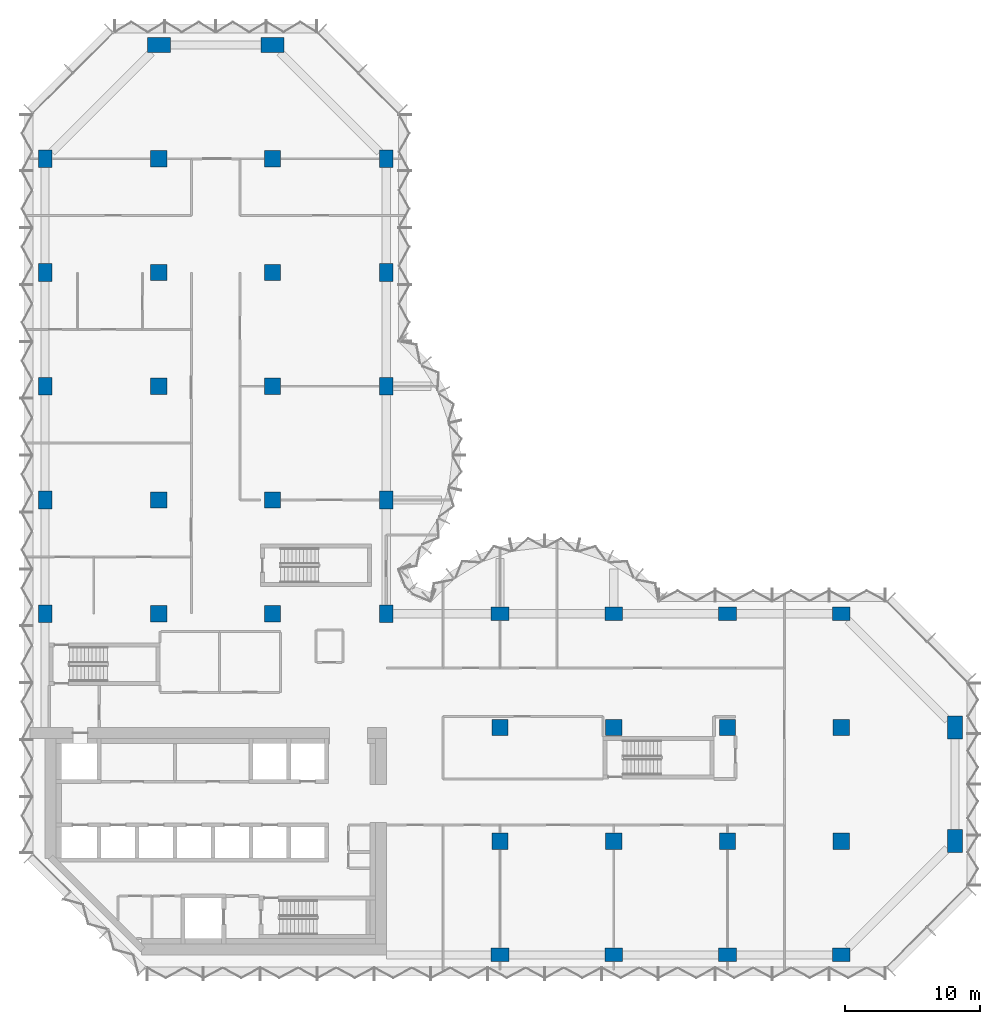
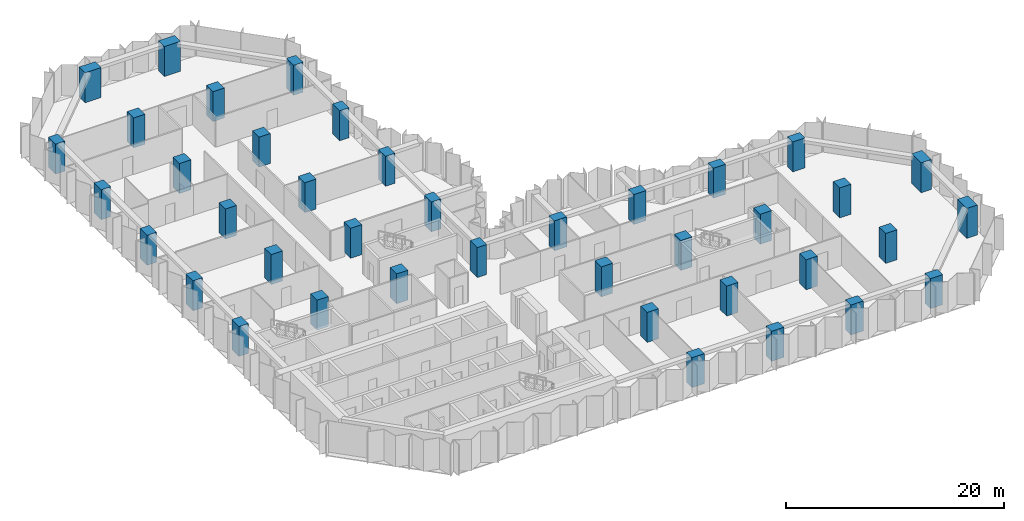
# One storey, part 1 of 13: 40 columns.
"""IFC4 building model written with IfcOpenShell, lengths in metres."""

from ifc_helpers import new_model, si_unit, direction, frame, origin, origin_2d, place, context, subcontext, project, spatial, rectangle, extrude, material, material_profile, profile_set, type_object, element, save


model = new_model("IFC4")

# Units and contexts
model_context = context("Model", 3, precision=1e-05, world=origin(), true_north=direction((0.0, 1.0)))
body_context = subcontext(model_context, "Body", "Model", "MODEL_VIEW")
ifc_project = project(units=[si_unit("LENGTHUNIT", "METRE"), si_unit("AREAUNIT", "SQUARE_METRE"), si_unit("VOLUMEUNIT", "CUBIC_METRE"), si_unit("PLANEANGLEUNIT", "RADIAN"), si_unit("MASSUNIT", "GRAM", prefix="KILO")], contexts=[model_context])

# Site, building, storey
site_placement = place(None, origin())
site = spatial("IfcSite", under=ifc_project, at=site_placement, CompositionType="ELEMENT")
building_placement = place(site_placement, origin())
building = spatial("IfcBuilding", under=site, at=building_placement, Name="Brevane Broadcast Tower", CompositionType="ELEMENT")
storey_placement = place(building_placement, frame((0.0, 0.0, 113.300048828125)))
storey = spatial("IfcBuildingStorey", under=building, at=storey_placement, Name="L27", CompositionType="ELEMENT", Elevation=113.300048828125)

# Columns
ifc_material = material(Name="Concrete C60/75", Category="concrete")
ifc_material_profile_1 = material_profile(ifc_material, rectangle(XDim=1.0, YDim=1.300048828125, at=origin_2d()), Name="RC 1000x1300")
ifc_profile_set_1 = profile_set([ifc_material_profile_1], Name="Concrete C60/75")
column_type_1 = type_object("IfcColumnType", Name="RC COLUMN EDGE 1000x1300 C60/75", PredefinedType="COLUMN", material=ifc_profile_set_1)
for number, where, z_axis, x_axis, name in (
    (1, (0.0, 25.199951171875, 0.0), (0.0, 0.0, 1.0), (1.0, 0.0, 0.0), "CE8 1/D"),
    (2, (0.0, 33.60009765625, 0.0), (0.0, 0.0, 1.0), (1.0, 0.0, 0.0), "CE8 1/E"),
    (3, (0.0, 42.0, 0.0), (0.0, 0.0, 1.0), (1.0, 0.0, 0.0), "CE8 1/F"),
    (4, (0.0, 50.39990234375, 0.0), (0.0, 0.0, 1.0), (1.0, 0.0, 0.0), "CE8 1/G"),
    (5, (0.0, 58.800048828125, 0.0), (0.0, 0.0, 1.0), (1.0, 0.0, 0.0), "CE8 1/H"),
    (6, (25.199951171875, 25.199951171875, 0.0), (0.0, 0.0, 1.0), (1.0, 0.0, 0.0), "CE8 4/D"),
    (7, (25.199951171875, 33.60009765625, 0.0), (0.0, 0.0, 1.0), (1.0, 0.0, 0.0), "CE8 4/E"),
    (8, (25.199951171875, 42.0, 0.0), (0.0, 0.0, 1.0), (1.0, 0.0, 0.0), "CE8 4/F"),
    (9, (25.199951171875, 50.39990234375, 0.0), (0.0, 0.0, 1.0), (1.0, 0.0, 0.0), "CE8 4/G"),
    (10, (25.199951171875, 58.800048828125, 0.0), (0.0, 0.0, 1.0), (1.0, 0.0, 0.0), "CE8 4/H"),
    (11, (33.60009765625, 0.0, 0.0), (0.0, 0.0, 1.0), (0.0, 1.0, 0.0), "CE8 5/A"),
    (12, (33.60009765625, 25.199951171875, 0.0), (0.0, 0.0, 1.0), (0.0, 1.0, 0.0), "CE8 5/D"),
    (13, (42.0, 0.0, 0.0), (0.0, 0.0, 1.0), (0.0, 1.0, 0.0), "CE8 6/A"),
    (14, (42.0, 25.199951171875, 0.0), (0.0, 0.0, 1.0), (0.0, 1.0, 0.0), "CE8 6/D"),
    (15, (50.39990234375, 0.0, 0.0), (0.0, 0.0, 1.0), (0.0, 1.0, 0.0), "CE8 7/A"),
    (16, (50.39990234375, 25.199951171875, 0.0), (0.0, 0.0, 1.0), (0.0, 1.0, 0.0), "CE8 7/D"),
    (17, (58.800048828125, 0.0, 0.0), (0.0, 0.0, 1.0), (0.0, 1.0, 0.0), "CE8 8/A"),
    (18, (58.800048828125, 25.199951171875, 0.0), (0.0, 0.0, 1.0), (0.0, 1.0, 0.0), "CE8 8/D"),
):
    element("IfcColumn", number, at=place(storey_placement, frame(where, z_axis=z_axis, x_axis=x_axis)), inside=storey, type_object=column_type_1, Name=name, PredefinedType="COLUMN", context=body_context, shape_type="SweptSolid", body=[
        extrude(rectangle(XDim=1.0, YDim=1.300048828125, at=origin_2d()), origin(), (0.0, 0.0, 1.0), 3.349853515625),
    ])
ifc_material_profile_2 = material_profile(ifc_material, rectangle(XDim=1.199951171875, YDim=1.199951171875, at=origin_2d()), Name="RC 1200x1200")
ifc_profile_set_2 = profile_set([ifc_material_profile_2], Name="Concrete C60/75")
column_type_2 = type_object("IfcColumnType", Name="RC COLUMN INTERIOR 1200x1200 C60/75", PredefinedType="COLUMN", material=ifc_profile_set_2)
for number, where, z_axis, x_axis, name in (
    (19, (8.39990234375, 25.199951171875, 0.0), (0.0, 0.0, 1.0), (1.0, 0.0, 0.0), "CI9 2/D"),
    (20, (8.39990234375, 33.60009765625, 0.0), (0.0, 0.0, 1.0), (1.0, 0.0, 0.0), "CI9 2/E"),
    (21, (8.39990234375, 42.0, 0.0), (0.0, 0.0, 1.0), (1.0, 0.0, 0.0), "CI9 2/F"),
    (22, (8.39990234375, 50.39990234375, 0.0), (0.0, 0.0, 1.0), (1.0, 0.0, 0.0), "CI9 2/G"),
    (23, (8.39990234375, 58.800048828125, 0.0), (0.0, 0.0, 1.0), (1.0, 0.0, 0.0), "CI9 2/H"),
    (24, (16.800048828125, 25.199951171875, 0.0), (0.0, 0.0, 1.0), (1.0, 0.0, 0.0), "CI9 3/D"),
    (25, (16.800048828125, 33.60009765625, 0.0), (0.0, 0.0, 1.0), (1.0, 0.0, 0.0), "CI9 3/E"),
    (26, (16.800048828125, 42.0, 0.0), (0.0, 0.0, 1.0), (1.0, 0.0, 0.0), "CI9 3/F"),
    (27, (16.800048828125, 50.39990234375, 0.0), (0.0, 0.0, 1.0), (1.0, 0.0, 0.0), "CI9 3/G"),
    (28, (16.800048828125, 58.800048828125, 0.0), (0.0, 0.0, 1.0), (1.0, 0.0, 0.0), "CI9 3/H"),
    (29, (33.60009765625, 8.39990234375, 0.0), (0.0, 0.0, 1.0), (1.0, 0.0, 0.0), "CI9 5/B"),
    (30, (33.60009765625, 16.800048828125, 0.0), (0.0, 0.0, 1.0), (1.0, 0.0, 0.0), "CI9 5/C"),
    (31, (42.0, 8.39990234375, 0.0), (0.0, 0.0, 1.0), (1.0, 0.0, 0.0), "CI9 6/B"),
    (32, (42.0, 16.800048828125, 0.0), (0.0, 0.0, 1.0), (1.0, 0.0, 0.0), "CI9 6/C"),
    (33, (50.39990234375, 8.39990234375, 0.0), (0.0, 0.0, 1.0), (1.0, 0.0, 0.0), "CI9 7/B"),
    (34, (50.39990234375, 16.800048828125, 0.0), (0.0, 0.0, 1.0), (1.0, 0.0, 0.0), "CI9 7/C"),
    (35, (58.800048828125, 8.39990234375, 0.0), (0.0, 0.0, 1.0), (1.0, 0.0, 0.0), "CI9 8/B"),
    (36, (58.800048828125, 16.800048828125, 0.0), (0.0, 0.0, 1.0), (1.0, 0.0, 0.0), "CI9 8/C"),
):
    element("IfcColumn", number, at=place(storey_placement, frame(where, z_axis=z_axis, x_axis=x_axis)), inside=storey, type_object=column_type_2, Name=name, PredefinedType="COLUMN", context=body_context, shape_type="SweptSolid", body=[
        extrude(rectangle(XDim=1.199951171875, YDim=1.199951171875, at=origin_2d()), origin(), (0.0, 0.0, 1.0), 3.349853515625),
    ])
ifc_material_profile_3 = material_profile(ifc_material, rectangle(XDim=1.10009765625, YDim=1.699951171875, at=origin_2d()), Name="RC 1100x1700")
ifc_profile_set_3 = profile_set([ifc_material_profile_3], Name="Concrete C60/75")
column_type_3 = type_object("IfcColumnType", Name="RC COLUMN WING-END 1100x1700 C60/75", PredefinedType="COLUMN", material=ifc_profile_set_3)
for number, where, z_axis, x_axis, name in (
    (37, (8.39990234375, 67.199951171875, 0.0), (0.0, 0.0, 1.0), (0.0, 1.0, 0.0), "CW10 2/I"),
    (38, (16.800048828125, 67.199951171875, 0.0), (0.0, 0.0, 1.0), (0.0, 1.0, 0.0), "CW10 3/I"),
    (39, (67.199951171875, 8.39990234375, 0.0), (0.0, 0.0, 1.0), (1.0, 0.0, 0.0), "CW10 9/B"),
    (40, (67.199951171875, 16.800048828125, 0.0), (0.0, 0.0, 1.0), (1.0, 0.0, 0.0), "CW10 9/C"),
):
    element("IfcColumn", number, at=place(storey_placement, frame(where, z_axis=z_axis, x_axis=x_axis)), inside=storey, type_object=column_type_3, Name=name, PredefinedType="COLUMN", context=body_context, shape_type="SweptSolid", body=[
        extrude(rectangle(XDim=1.10009765625, YDim=1.699951171875, at=origin_2d()), origin(), (0.0, 0.0, 1.0), 3.349853515625),
    ])

save(model, "model.ifc")
